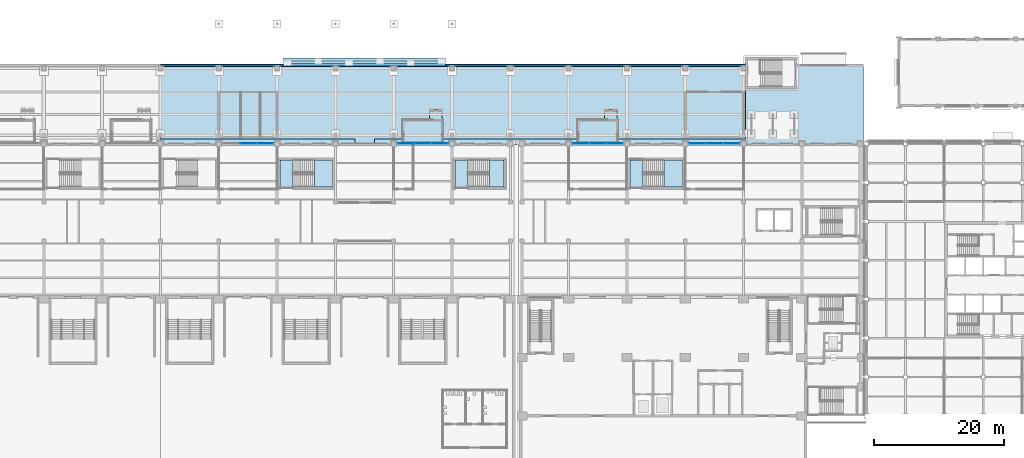
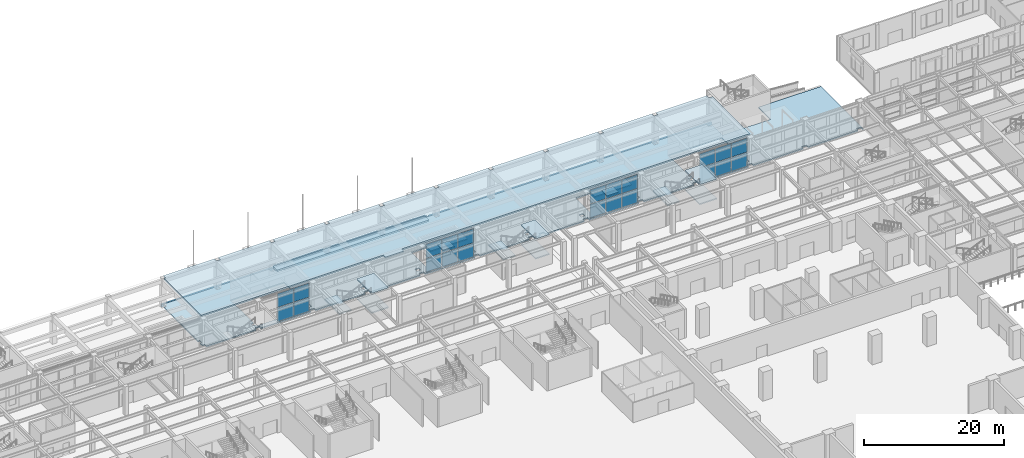
# One storey, part 35 of 77: 22 plates, 21 slabs, 7 elements without a shape of their own.
"""IFC4 building model written with IfcOpenShell, lengths in metres."""

from ifc_helpers import new_model, si_unit, direction, frame, origin, origin_2d, place, context, subcontext, project, spatial, polyline, rectangle, outline, extrude, material, layer, layer_set, type_object, element, aggregate, save


model = new_model("IFC4")

# Units and contexts
model_context = context("Model", 3, precision=1e-05, world=origin(), true_north=direction((0.0, 1.0)))
body_context = subcontext(model_context, "Body", "Model", "MODEL_VIEW")
ifc_project = project(units=[si_unit("LENGTHUNIT", "METRE"), si_unit("AREAUNIT", "SQUARE_METRE"), si_unit("VOLUMEUNIT", "CUBIC_METRE"), si_unit("PLANEANGLEUNIT", "RADIAN"), si_unit("MASSUNIT", "GRAM", prefix="KILO")], contexts=[model_context])

# Site, building, storey
site_placement = place(None, origin())
site = spatial("IfcSite", under=ifc_project, at=site_placement, CompositionType="ELEMENT")
building_placement = place(site_placement, origin())
building = spatial("IfcBuilding", under=site, at=building_placement, Name="Aravalli Gate Trade Fair Centre", CompositionType="ELEMENT")
storey_placement = place(building_placement, origin())
storey = spatial("IfcBuildingStorey", under=building, at=storey_placement, Name="L00", CompositionType="ELEMENT", Elevation=0.0)

# Slabs
ifc_material_1 = material(Name="Concrete M40", Category="concrete")
ifc_layer_1 = layer(ifc_material_1, 0.25)
ifc_layer_set_1 = layer_set([ifc_layer_1], Name="Concrete M40")
slab_type_1 = type_object("IfcSlabType", Name="Arcade terrace slab 250", PredefinedType="FLOOR", material=ifc_layer_set_1)
slab_1_placement = place(storey_placement, frame((0.0, 0.0, 4.75)))
element("IfcSlab", 1, at=slab_1_placement, inside=storey, type_object=slab_type_1, Name="Arcade terrace slab, part 2 of 2", PredefinedType="FLOOR", context=body_context, shape_type="SweptSolid", body=[
    extrude(outline(polyline([(51.300048828125, 144.35009765625), (51.02001953125, 144.35009765625), (51.02001953125, 133.699951171875), (81.0, 133.699951171875), (81.0, 133.10009765625), (84.0, 133.10009765625), (84.0, 133.699951171875), (141.300048828125, 133.699951171875), (141.300048828125, 144.35009765625), (140.699951171875, 144.35009765625), (140.699951171875, 144.949951171875), (132.300048828125, 144.949951171875), (132.300048828125, 144.35009765625), (131.699951171875, 144.35009765625), (131.699951171875, 144.949951171875), (123.300048828125, 144.949951171875), (123.300048828125, 144.35009765625), (122.699951171875, 144.35009765625), (122.699951171875, 144.949951171875), (114.300048828125, 144.949951171875), (114.300048828125, 144.35009765625), (113.699951171875, 144.35009765625), (113.699951171875, 144.949951171875), (105.300048828125, 144.949951171875), (105.300048828125, 144.35009765625), (104.699951171875, 144.35009765625), (104.699951171875, 144.949951171875), (96.300048828125, 144.949951171875), (96.300048828125, 144.35009765625), (95.699951171875, 144.35009765625), (95.699951171875, 144.949951171875), (87.300048828125, 144.949951171875), (87.300048828125, 144.35009765625), (86.699951171875, 144.35009765625), (86.699951171875, 144.949951171875), (78.300048828125, 144.949951171875), (78.300048828125, 144.35009765625), (77.699951171875, 144.35009765625), (77.699951171875, 144.949951171875), (69.300048828125, 144.949951171875), (69.300048828125, 144.35009765625), (68.699951171875, 144.35009765625), (68.699951171875, 144.949951171875), (60.300048828125, 144.949951171875), (60.300048828125, 144.35009765625), (59.699951171875, 144.35009765625), (59.699951171875, 144.949951171875), (51.300048828125, 144.949951171875), (51.300048828125, 144.35009765625)])), origin(), (0.0, 0.0, 1.0), 0.25),
])
ifc_material_2 = material(Name="Concrete M30", Category="concrete")
ifc_layer_2 = layer(ifc_material_2, 0.199951171875)
ifc_layer_set_2 = layer_set([ifc_layer_2], Name="Concrete M30")
slab_type_2 = type_object("IfcSlabType", Name="Basement exit apron 200", PredefinedType="USERDEFINED", material=ifc_layer_set_2)
slab_2_placement = place(storey_placement, frame((0.0, 0.0, -0.199951171875)))
element("IfcSlab", 2, at=slab_2_placement, inside=storey, type_object=slab_type_2, Name="Basement stair N3 exit apron", ObjectType="PAVING", PredefinedType="USERDEFINED", context=body_context, shape_type="SweptSolid", body=[
    extrude(outline(polyline([(94.449951171875, 136.679931640625), (92.5, 136.679931640625), (92.5, 138.280029296875), (94.449951171875, 138.280029296875), (94.449951171875, 136.679931640625)])), origin(), (0.0, 0.0, 1.0), 0.199951171875),
])
slab_3_placement = place(storey_placement, frame((0.0, 0.0, -0.199951171875)))
element("IfcSlab", 3, at=slab_3_placement, inside=storey, type_object=slab_type_2, Name="Basement stair N4 exit apron", ObjectType="PAVING", PredefinedType="USERDEFINED", context=body_context, shape_type="SweptSolid", body=[
    extrude(outline(polyline([(121.449951171875, 136.679931640625), (119.5, 136.679931640625), (119.5, 138.280029296875), (121.449951171875, 138.280029296875), (121.449951171875, 136.679931640625)])), origin(), (0.0, 0.0, 1.0), 0.199951171875),
])
ifc_material_3 = material(Name="Concrete M35", Category="concrete")
ifc_layer_3 = layer(ifc_material_3, 0.199951171875)
ifc_layer_set_3 = layer_set([ifc_layer_3], Name="Concrete M35")
slab_type_3 = type_object("IfcSlabType", Name="Basement stair head roof 200", PredefinedType="ROOF", material=ifc_layer_set_3)
slab_4_placement = place(storey_placement, frame((0.0, 0.0, 3.199951171875)))
element("IfcSlab", 4, at=slab_4_placement, inside=storey, type_object=slab_type_3, Name="Basement stair N3 head roof", PredefinedType="ROOF", context=body_context, shape_type="SweptSolid", body=[
    extrude(outline(polyline([(94.550048828125, 133.179931640625), (88.449951171875, 133.179931640625), (88.449951171875, 136.679931640625), (94.550048828125, 136.679931640625), (94.550048828125, 133.179931640625)])), origin(), (0.0, 0.0, 1.0), 0.199951171875),
])
slab_5_placement = place(storey_placement, frame((0.0, 0.0, 3.199951171875)))
element("IfcSlab", 5, at=slab_5_placement, inside=storey, type_object=slab_type_3, Name="Basement stair N4 head roof", PredefinedType="ROOF", context=body_context, shape_type="SweptSolid", body=[
    extrude(outline(polyline([(121.550048828125, 133.179931640625), (115.449951171875, 133.179931640625), (115.449951171875, 136.679931640625), (121.550048828125, 136.679931640625), (121.550048828125, 133.179931640625)])), origin(), (0.0, 0.0, 1.0), 0.199951171875),
])

# Stair, slabs
stair_type = type_object("IfcStairType", Name="Concourse stair, 2000 wide", PredefinedType="HALF_TURN_STAIR", material=ifc_material_2)
stair_1_placement = place(storey_placement, origin())
stair_1 = element("IfcStair", 6, at=stair_1_placement, inside=storey, type_object=stair_type, Name="Stair XC L00", PredefinedType="HALF_TURN_STAIR")
ifc_layer_4 = layer(ifc_material_2, 0.199951171875)
ifc_layer_set_4 = layer_set([ifc_layer_4], Name="Concrete M30")
slab_type_4 = type_object("IfcSlabType", Name="Concourse stair landing 200", PredefinedType="LANDING", material=ifc_layer_set_4)
slab_6_placement = place(storey_placement, frame((0.0, 0.0, 1.466796875)))
slab_6 = element("IfcSlab", 7, at=slab_6_placement, type_object=slab_type_4, Name="STXC-L00 landing 1", PredefinedType="LANDING", context=body_context, shape_type="SweptSolid", body=[
    extrude(outline(polyline([(74.75, 126.300048828125), (77.550048828125, 126.300048828125), (77.550048828125, 130.5), (74.75, 130.5), (74.75, 126.300048828125)])), origin(), (0.0, 0.0, 1.0), 0.199951171875),
])
slab_7_placement = place(storey_placement, frame((0.0, 0.0, 3.13330078125)))
slab_7 = element("IfcSlab", 8, at=slab_7_placement, type_object=slab_type_4, Name="STXC-L00 landing 2", PredefinedType="LANDING", context=body_context, shape_type="SweptSolid", body=[
    extrude(outline(polyline([(69.449951171875, 126.300048828125), (71.449951171875, 126.300048828125), (71.449951171875, 130.5), (69.449951171875, 130.5), (69.449951171875, 126.300048828125)])), origin(), (0.0, 0.0, 1.0), 0.199951171875),
])
slab_8_placement = place(storey_placement, frame((0.0, 0.0, 4.800048828125)))
slab_8 = element("IfcSlab", 9, at=slab_8_placement, type_object=slab_type_4, Name="STXC-L00 landing 3", PredefinedType="LANDING", context=body_context, shape_type="SweptSolid", body=[
    extrude(outline(polyline([(74.75, 126.300048828125), (77.550048828125, 126.300048828125), (77.550048828125, 130.5), (74.75, 130.5), (74.75, 126.300048828125)])), origin(), (0.0, 0.0, 1.0), 0.199951171875),
])
aggregate(stair_1, [slab_6, slab_7, slab_8])

stair_2_placement = place(storey_placement, origin())
stair_2 = element("IfcStair", 10, at=stair_2_placement, inside=storey, type_object=stair_type, Name="Stair XD L00", PredefinedType="HALF_TURN_STAIR")
slab_9_placement = place(storey_placement, frame((0.0, 0.0, 1.466796875)))
slab_9 = element("IfcSlab", 11, at=slab_9_placement, type_object=slab_type_4, Name="STXD-L00 landing 1", PredefinedType="LANDING", context=body_context, shape_type="SweptSolid", body=[
    extrude(outline(polyline([(101.75, 126.300048828125), (104.050048828125, 126.300048828125), (104.050048828125, 130.5), (101.75, 130.5), (101.75, 126.300048828125)])), origin(), (0.0, 0.0, 1.0), 0.199951171875),
])
slab_10_placement = place(storey_placement, frame((0.0, 0.0, 3.13330078125)))
slab_10 = element("IfcSlab", 12, at=slab_10_placement, type_object=slab_type_4, Name="STXD-L00 landing 2", PredefinedType="LANDING", context=body_context, shape_type="SweptSolid", body=[
    extrude(outline(polyline([(96.449951171875, 126.300048828125), (98.449951171875, 126.300048828125), (98.449951171875, 130.5), (96.449951171875, 130.5), (96.449951171875, 126.300048828125)])), origin(), (0.0, 0.0, 1.0), 0.199951171875),
])
slab_11_placement = place(storey_placement, frame((0.0, 0.0, 4.800048828125)))
slab_11 = element("IfcSlab", 13, at=slab_11_placement, type_object=slab_type_4, Name="STXD-L00 landing 3", PredefinedType="LANDING", context=body_context, shape_type="SweptSolid", body=[
    extrude(outline(polyline([(101.75, 126.300048828125), (104.050048828125, 126.300048828125), (104.050048828125, 130.5), (101.75, 130.5), (101.75, 126.300048828125)])), origin(), (0.0, 0.0, 1.0), 0.199951171875),
])
aggregate(stair_2, [slab_9, slab_10, slab_11])

stair_3_placement = place(storey_placement, origin())
stair_3 = element("IfcStair", 14, at=stair_3_placement, inside=storey, type_object=stair_type, Name="Stair XE L00", PredefinedType="HALF_TURN_STAIR")
slab_12_placement = place(storey_placement, frame((0.0, 0.0, 1.466796875)))
slab_12 = element("IfcSlab", 15, at=slab_12_placement, type_object=slab_type_4, Name="STXE-L00 landing 1", PredefinedType="LANDING", context=body_context, shape_type="SweptSolid", body=[
    extrude(outline(polyline([(128.75, 126.300048828125), (131.550048828125, 126.300048828125), (131.550048828125, 130.5), (128.75, 130.5), (128.75, 126.300048828125)])), origin(), (0.0, 0.0, 1.0), 0.199951171875),
])
slab_13_placement = place(storey_placement, frame((0.0, 0.0, 3.13330078125)))
slab_13 = element("IfcSlab", 16, at=slab_13_placement, type_object=slab_type_4, Name="STXE-L00 landing 2", PredefinedType="LANDING", context=body_context, shape_type="SweptSolid", body=[
    extrude(outline(polyline([(123.449951171875, 126.300048828125), (125.449951171875, 126.300048828125), (125.449951171875, 130.5), (123.449951171875, 130.5), (123.449951171875, 126.300048828125)])), origin(), (0.0, 0.0, 1.0), 0.199951171875),
])
slab_14_placement = place(storey_placement, frame((0.0, 0.0, 4.800048828125)))
slab_14 = element("IfcSlab", 17, at=slab_14_placement, type_object=slab_type_4, Name="STXE-L00 landing 3", PredefinedType="LANDING", context=body_context, shape_type="SweptSolid", body=[
    extrude(outline(polyline([(128.75, 126.300048828125), (131.550048828125, 126.300048828125), (131.550048828125, 130.5), (128.75, 130.5), (128.75, 126.300048828125)])), origin(), (0.0, 0.0, 1.0), 0.199951171875),
])
aggregate(stair_3, [slab_12, slab_13, slab_14])

# Curtain wall, plates
ifc_material_4 = material(Name="Aluminium and glass", Category="aluminium")
curtain_wall_type = type_object("IfcCurtainWallType", Name="Curtain wall 3000 module, tall", PredefinedType="NOTDEFINED", material=ifc_material_4)
curtain_wall_1_placement = place(storey_placement, origin())
curtain_wall_1 = element("IfcCurtainWall", 18, at=curtain_wall_1_placement, inside=storey, type_object=curtain_wall_type, Name="Curtain wall north bay 7 L00", PredefinedType="NOTDEFINED")
ifc_material_5 = material(Name="Glass, double glazed", Category="glass")
ifc_layer_5 = layer(ifc_material_5, 0.028076171875)
ifc_layer_set_5 = layer_set([ifc_layer_5], Name="Glass, double glazed")
plate_type = type_object("IfcPlateType", Name="Curtain wall panel, double glazed 28", PredefinedType="CURTAIN_PANEL", material=ifc_layer_set_5)
plate_1_placement = place(storey_placement, frame((64.5, 133.044921875, 0.06005859375), z_axis=(0.0, 0.0, 1.0), x_axis=(1.0, 0.0, 0.0)))
plate_1 = element("IfcPlate", 19, at=plate_1_placement, type_object=plate_type, Name="CW3 panel 2.1", PredefinedType="CURTAIN_PANEL", context=body_context, shape_type="SweptSolid", body=[
    extrude(rectangle(XDim=2.5732421875, YDim=0.028076171875, at=origin_2d()), origin(), (0.0, 0.0, 1.0), 2.409912109375),
])
plate_2_placement = place(storey_placement, frame((64.5, 133.044921875, 2.5302734375), z_axis=(0.0, 0.0, 1.0), x_axis=(1.0, 0.0, 0.0)))
plate_2 = element("IfcPlate", 20, at=plate_2_placement, type_object=plate_type, Name="CW3 panel 2.2", PredefinedType="CURTAIN_PANEL", context=body_context, shape_type="SweptSolid", body=[
    extrude(rectangle(XDim=2.5732421875, YDim=0.028076171875, at=origin_2d()), origin(), (0.0, 0.0, 1.0), 2.409912109375),
])
plate_3_placement = place(storey_placement, frame((67.118408203125, 133.044921875, 0.06005859375), z_axis=(0.0, 0.0, 1.0), x_axis=(1.0, 0.0, 0.0)))
plate_3 = element("IfcPlate", 21, at=plate_3_placement, type_object=plate_type, Name="CW3 panel 3.1", PredefinedType="CURTAIN_PANEL", context=body_context, shape_type="SweptSolid", body=[
    extrude(rectangle(XDim=2.543212890625, YDim=0.028076171875, at=origin_2d()), origin(), (0.0, 0.0, 1.0), 2.409912109375),
])
plate_4_placement = place(storey_placement, frame((67.118408203125, 133.044921875, 2.5302734375), z_axis=(0.0, 0.0, 1.0), x_axis=(1.0, 0.0, 0.0)))
plate_4 = element("IfcPlate", 22, at=plate_4_placement, type_object=plate_type, Name="CW3 panel 3.2", PredefinedType="CURTAIN_PANEL", context=body_context, shape_type="SweptSolid", body=[
    extrude(rectangle(XDim=2.543212890625, YDim=0.028076171875, at=origin_2d()), origin(), (0.0, 0.0, 1.0), 2.409912109375),
])
aggregate(curtain_wall_1, [plate_1, plate_2, plate_3, plate_4])

curtain_wall_2_placement = place(storey_placement, origin())
curtain_wall_2 = element("IfcCurtainWall", 23, at=curtain_wall_2_placement, inside=storey, type_object=curtain_wall_type, Name="Curtain wall north bay 10 L00", PredefinedType="NOTDEFINED")
plate_5_placement = place(storey_placement, frame((88.881591796875, 133.044921875, 0.06005859375), z_axis=(0.0, 0.0, 1.0), x_axis=(1.0, 0.0, 0.0)))
plate_5 = element("IfcPlate", 24, at=plate_5_placement, type_object=plate_type, Name="CW3 panel 1.1", PredefinedType="CURTAIN_PANEL", context=body_context, shape_type="SweptSolid", body=[
    extrude(rectangle(XDim=2.543212890625, YDim=0.028076171875, at=origin_2d()), origin(), (0.0, 0.0, 1.0), 2.409912109375),
])
plate_6_placement = place(storey_placement, frame((88.881591796875, 133.044921875, 2.5302734375), z_axis=(0.0, 0.0, 1.0), x_axis=(1.0, 0.0, 0.0)))
plate_6 = element("IfcPlate", 25, at=plate_6_placement, type_object=plate_type, Name="CW3 panel 1.2", PredefinedType="CURTAIN_PANEL", context=body_context, shape_type="SweptSolid", body=[
    extrude(rectangle(XDim=2.543212890625, YDim=0.028076171875, at=origin_2d()), origin(), (0.0, 0.0, 1.0), 2.409912109375),
])
plate_7_placement = place(storey_placement, frame((91.5, 133.044921875, 0.06005859375), z_axis=(0.0, 0.0, 1.0), x_axis=(1.0, 0.0, 0.0)))
plate_7 = element("IfcPlate", 26, at=plate_7_placement, type_object=plate_type, Name="CW3 panel 2.1", PredefinedType="CURTAIN_PANEL", context=body_context, shape_type="SweptSolid", body=[
    extrude(rectangle(XDim=2.5732421875, YDim=0.028076171875, at=origin_2d()), origin(), (0.0, 0.0, 1.0), 2.409912109375),
])
plate_8_placement = place(storey_placement, frame((91.5, 133.044921875, 2.5302734375), z_axis=(0.0, 0.0, 1.0), x_axis=(1.0, 0.0, 0.0)))
plate_8 = element("IfcPlate", 27, at=plate_8_placement, type_object=plate_type, Name="CW3 panel 2.2", PredefinedType="CURTAIN_PANEL", context=body_context, shape_type="SweptSolid", body=[
    extrude(rectangle(XDim=2.5732421875, YDim=0.028076171875, at=origin_2d()), origin(), (0.0, 0.0, 1.0), 2.409912109375),
])
plate_9_placement = place(storey_placement, frame((94.118408203125, 133.044921875, 0.06005859375), z_axis=(0.0, 0.0, 1.0), x_axis=(1.0, 0.0, 0.0)))
plate_9 = element("IfcPlate", 28, at=plate_9_placement, type_object=plate_type, Name="CW3 panel 3.1", PredefinedType="CURTAIN_PANEL", context=body_context, shape_type="SweptSolid", body=[
    extrude(rectangle(XDim=2.543212890625, YDim=0.028076171875, at=origin_2d()), origin(), (0.0, 0.0, 1.0), 2.409912109375),
])
plate_10_placement = place(storey_placement, frame((94.118408203125, 133.044921875, 2.5302734375), z_axis=(0.0, 0.0, 1.0), x_axis=(1.0, 0.0, 0.0)))
plate_10 = element("IfcPlate", 29, at=plate_10_placement, type_object=plate_type, Name="CW3 panel 3.2", PredefinedType="CURTAIN_PANEL", context=body_context, shape_type="SweptSolid", body=[
    extrude(rectangle(XDim=2.543212890625, YDim=0.028076171875, at=origin_2d()), origin(), (0.0, 0.0, 1.0), 2.409912109375),
])
aggregate(curtain_wall_2, [plate_5, plate_6, plate_7, plate_8, plate_9, plate_10])

curtain_wall_3_placement = place(storey_placement, origin())
curtain_wall_3 = element("IfcCurtainWall", 30, at=curtain_wall_3_placement, inside=storey, type_object=curtain_wall_type, Name="Curtain wall north bay 14 L00", PredefinedType="NOTDEFINED")
plate_11_placement = place(storey_placement, frame((115.881591796875, 133.044921875, 0.06005859375), z_axis=(0.0, 0.0, 1.0), x_axis=(1.0, 0.0, 0.0)))
plate_11 = element("IfcPlate", 31, at=plate_11_placement, type_object=plate_type, Name="CW3 panel 1.1", PredefinedType="CURTAIN_PANEL", context=body_context, shape_type="SweptSolid", body=[
    extrude(rectangle(XDim=2.543212890625, YDim=0.028076171875, at=origin_2d()), origin(), (0.0, 0.0, 1.0), 2.409912109375),
])
plate_12_placement = place(storey_placement, frame((115.881591796875, 133.044921875, 2.5302734375), z_axis=(0.0, 0.0, 1.0), x_axis=(1.0, 0.0, 0.0)))
plate_12 = element("IfcPlate", 32, at=plate_12_placement, type_object=plate_type, Name="CW3 panel 1.2", PredefinedType="CURTAIN_PANEL", context=body_context, shape_type="SweptSolid", body=[
    extrude(rectangle(XDim=2.543212890625, YDim=0.028076171875, at=origin_2d()), origin(), (0.0, 0.0, 1.0), 2.409912109375),
])
plate_13_placement = place(storey_placement, frame((118.5, 133.044921875, 0.06005859375), z_axis=(0.0, 0.0, 1.0), x_axis=(1.0, 0.0, 0.0)))
plate_13 = element("IfcPlate", 33, at=plate_13_placement, type_object=plate_type, Name="CW3 panel 2.1", PredefinedType="CURTAIN_PANEL", context=body_context, shape_type="SweptSolid", body=[
    extrude(rectangle(XDim=2.5732421875, YDim=0.028076171875, at=origin_2d()), origin(), (0.0, 0.0, 1.0), 2.409912109375),
])
plate_14_placement = place(storey_placement, frame((118.5, 133.044921875, 2.5302734375), z_axis=(0.0, 0.0, 1.0), x_axis=(1.0, 0.0, 0.0)))
plate_14 = element("IfcPlate", 34, at=plate_14_placement, type_object=plate_type, Name="CW3 panel 2.2", PredefinedType="CURTAIN_PANEL", context=body_context, shape_type="SweptSolid", body=[
    extrude(rectangle(XDim=2.5732421875, YDim=0.028076171875, at=origin_2d()), origin(), (0.0, 0.0, 1.0), 2.409912109375),
])
plate_15_placement = place(storey_placement, frame((121.118408203125, 133.044921875, 0.06005859375), z_axis=(0.0, 0.0, 1.0), x_axis=(1.0, 0.0, 0.0)))
plate_15 = element("IfcPlate", 35, at=plate_15_placement, type_object=plate_type, Name="CW3 panel 3.1", PredefinedType="CURTAIN_PANEL", context=body_context, shape_type="SweptSolid", body=[
    extrude(rectangle(XDim=2.543212890625, YDim=0.028076171875, at=origin_2d()), origin(), (0.0, 0.0, 1.0), 2.409912109375),
])
plate_16_placement = place(storey_placement, frame((121.118408203125, 133.044921875, 2.5302734375), z_axis=(0.0, 0.0, 1.0), x_axis=(1.0, 0.0, 0.0)))
plate_16 = element("IfcPlate", 36, at=plate_16_placement, type_object=plate_type, Name="CW3 panel 3.2", PredefinedType="CURTAIN_PANEL", context=body_context, shape_type="SweptSolid", body=[
    extrude(rectangle(XDim=2.543212890625, YDim=0.028076171875, at=origin_2d()), origin(), (0.0, 0.0, 1.0), 2.409912109375),
])
aggregate(curtain_wall_3, [plate_11, plate_12, plate_13, plate_14, plate_15, plate_16])

curtain_wall_4_placement = place(storey_placement, origin())
curtain_wall_4 = element("IfcCurtainWall", 37, at=curtain_wall_4_placement, inside=storey, type_object=curtain_wall_type, Name="Curtain wall north bay 16 L00", PredefinedType="NOTDEFINED")
plate_17_placement = place(storey_placement, frame((133.881591796875, 133.044921875, 0.06005859375), z_axis=(0.0, 0.0, 1.0), x_axis=(1.0, 0.0, 0.0)))
plate_17 = element("IfcPlate", 38, at=plate_17_placement, type_object=plate_type, Name="CW3 panel 1.1", PredefinedType="CURTAIN_PANEL", context=body_context, shape_type="SweptSolid", body=[
    extrude(rectangle(XDim=2.543212890625, YDim=0.028076171875, at=origin_2d()), origin(), (0.0, 0.0, 1.0), 2.409912109375),
])
plate_18_placement = place(storey_placement, frame((133.881591796875, 133.044921875, 2.5302734375), z_axis=(0.0, 0.0, 1.0), x_axis=(1.0, 0.0, 0.0)))
plate_18 = element("IfcPlate", 39, at=plate_18_placement, type_object=plate_type, Name="CW3 panel 1.2", PredefinedType="CURTAIN_PANEL", context=body_context, shape_type="SweptSolid", body=[
    extrude(rectangle(XDim=2.543212890625, YDim=0.028076171875, at=origin_2d()), origin(), (0.0, 0.0, 1.0), 2.409912109375),
])
plate_19_placement = place(storey_placement, frame((136.5, 133.044921875, 0.06005859375), z_axis=(0.0, 0.0, 1.0), x_axis=(1.0, 0.0, 0.0)))
plate_19 = element("IfcPlate", 40, at=plate_19_placement, type_object=plate_type, Name="CW3 panel 2.1", PredefinedType="CURTAIN_PANEL", context=body_context, shape_type="SweptSolid", body=[
    extrude(rectangle(XDim=2.5732421875, YDim=0.028076171875, at=origin_2d()), origin(), (0.0, 0.0, 1.0), 2.409912109375),
])
plate_20_placement = place(storey_placement, frame((136.5, 133.044921875, 2.5302734375), z_axis=(0.0, 0.0, 1.0), x_axis=(1.0, 0.0, 0.0)))
plate_20 = element("IfcPlate", 41, at=plate_20_placement, type_object=plate_type, Name="CW3 panel 2.2", PredefinedType="CURTAIN_PANEL", context=body_context, shape_type="SweptSolid", body=[
    extrude(rectangle(XDim=2.5732421875, YDim=0.028076171875, at=origin_2d()), origin(), (0.0, 0.0, 1.0), 2.409912109375),
])
plate_21_placement = place(storey_placement, frame((139.118408203125, 133.044921875, 0.06005859375), z_axis=(0.0, 0.0, 1.0), x_axis=(1.0, 0.0, 0.0)))
plate_21 = element("IfcPlate", 42, at=plate_21_placement, type_object=plate_type, Name="CW3 panel 3.1", PredefinedType="CURTAIN_PANEL", context=body_context, shape_type="SweptSolid", body=[
    extrude(rectangle(XDim=2.543212890625, YDim=0.028076171875, at=origin_2d()), origin(), (0.0, 0.0, 1.0), 2.409912109375),
])
plate_22_placement = place(storey_placement, frame((139.118408203125, 133.044921875, 2.5302734375), z_axis=(0.0, 0.0, 1.0), x_axis=(1.0, 0.0, 0.0)))
plate_22 = element("IfcPlate", 43, at=plate_22_placement, type_object=plate_type, Name="CW3 panel 3.2", PredefinedType="CURTAIN_PANEL", context=body_context, shape_type="SweptSolid", body=[
    extrude(rectangle(XDim=2.543212890625, YDim=0.028076171875, at=origin_2d()), origin(), (0.0, 0.0, 1.0), 2.409912109375),
])
aggregate(curtain_wall_4, [plate_17, plate_18, plate_19, plate_20, plate_21, plate_22])

# Slabs
ifc_layer_6 = layer(ifc_material_2, 0.39990234375, Name="Structural slab")
ifc_material_6 = material(Name="Dholpur sandstone paving", Category="masonry")
ifc_layer_7 = layer(ifc_material_6, 0.050048828125, Name="Stone paving")
ifc_layer_set_6 = layer_set([ifc_layer_6, ifc_layer_7], Name="Plaza kerb 300")
slab_type_5 = type_object("IfcSlabType", Name="Plaza kerb 300", PredefinedType="USERDEFINED", material=ifc_layer_set_6)
slab_15_placement = place(storey_placement, frame((0.0, 0.0, -0.449951171875)))
element("IfcSlab", 44, at=slab_15_placement, inside=storey, type_object=slab_type_5, Name="Plaza kerb, part 2 of 2", ObjectType="PAVING", PredefinedType="USERDEFINED", context=body_context, shape_type="SweptSolid", body=[
    extrude(outline(polyline([(70.0, 145.300048828125), (51.02001953125, 145.300048828125), (51.02001953125, 145.0), (70.0, 145.0), (70.0, 145.300048828125)])), origin(), (0.0, 0.0, 1.0), 0.449951171875),
])
slab_16_placement = place(storey_placement, frame((0.0, 0.0, -0.449951171875)))
element("IfcSlab", 45, at=slab_16_placement, inside=storey, type_object=slab_type_5, Name="Plaza kerb", ObjectType="PAVING", PredefinedType="USERDEFINED", context=body_context, shape_type="SweptSolid", body=[
    extrude(outline(polyline([(141.60009765625, 145.300048828125), (95.0, 145.300048828125), (95.0, 145.0), (141.60009765625, 145.0), (141.60009765625, 145.300048828125)])), origin(), (0.0, 0.0, 1.0), 0.449951171875),
])
ifc_layer_8 = layer(ifc_material_2, 0.14990234375, Name="Structural slab")
ifc_layer_9 = layer(ifc_material_6, 0.050048828125, Name="Stone paving")
ifc_layer_set_7 = layer_set([ifc_layer_8, ifc_layer_9], Name="Plaza paving 200")
slab_type_6 = type_object("IfcSlabType", Name="Plaza paving 200", PredefinedType="USERDEFINED", material=ifc_layer_set_7)
slab_17_placement = place(storey_placement, frame((0.0, 0.0, -0.199951171875)))
element("IfcSlab", 46, at=slab_17_placement, inside=storey, type_object=slab_type_6, Name="Plaza paving, part 2 of 2", ObjectType="PAVING", PredefinedType="USERDEFINED", context=body_context, shape_type="SweptSolid", body=[
    extrude(outline(polyline([(159.39990234375, 132.919921875), (159.5, 132.919921875), (159.5, 145.0), (149.199951171875, 145.0), (149.199951171875, 141.5), (141.300048828125, 141.5), (141.300048828125, 144.300048828125), (140.64990234375, 144.300048828125), (140.64990234375, 145.0), (132.35009765625, 145.0), (132.35009765625, 144.300048828125), (131.64990234375, 144.300048828125), (131.64990234375, 145.0), (123.35009765625, 145.0), (123.35009765625, 144.300048828125), (122.64990234375, 144.300048828125), (122.64990234375, 145.0), (114.35009765625, 145.0), (114.35009765625, 144.300048828125), (113.64990234375, 144.300048828125), (113.64990234375, 145.0), (105.35009765625, 145.0), (105.35009765625, 144.300048828125), (104.64990234375, 144.300048828125), (104.64990234375, 145.0), (96.35009765625, 145.0), (96.35009765625, 144.300048828125), (95.64990234375, 144.300048828125), (95.64990234375, 145.0), (87.35009765625, 145.0), (87.35009765625, 144.300048828125), (86.64990234375, 144.300048828125), (86.64990234375, 145.0), (78.35009765625, 145.0), (78.35009765625, 144.300048828125), (77.64990234375, 144.300048828125), (77.64990234375, 145.0), (69.35009765625, 145.0), (69.35009765625, 144.300048828125), (68.64990234375, 144.300048828125), (68.64990234375, 145.0), (60.35009765625, 145.0), (60.35009765625, 144.300048828125), (59.64990234375, 144.300048828125), (59.64990234375, 145.0), (51.35009765625, 145.0), (51.35009765625, 144.300048828125), (51.02001953125, 144.300048828125), (51.02001953125, 134.60009765625), (51.300048828125, 134.60009765625), (51.300048828125, 134.0), (51.02001953125, 134.0), (51.02001953125, 133.39990234375), (51.39990234375, 133.39990234375), (51.39990234375, 132.919921875), (59.60009765625, 132.919921875), (59.60009765625, 133.39990234375), (60.39990234375, 133.39990234375), (60.39990234375, 132.919921875), (68.60009765625, 132.919921875), (68.60009765625, 133.39990234375), (69.39990234375, 133.39990234375), (69.39990234375, 132.919921875), (77.60009765625, 132.919921875), (77.60009765625, 133.39990234375), (78.39990234375, 133.39990234375), (78.39990234375, 132.919921875), (86.60009765625, 132.919921875), (86.60009765625, 133.39990234375), (87.39990234375, 133.39990234375), (87.39990234375, 132.919921875), (95.60009765625, 132.919921875), (95.60009765625, 133.39990234375), (96.39990234375, 133.39990234375), (96.39990234375, 132.919921875), (104.60009765625, 132.919921875), (104.60009765625, 133.39990234375), (105.39990234375, 133.39990234375), (105.39990234375, 132.919921875), (106.39990234375, 132.919921875), (106.39990234375, 133.39990234375), (107.199951171875, 133.39990234375), (107.199951171875, 132.919921875), (113.60009765625, 132.919921875), (113.60009765625, 133.39990234375), (114.39990234375, 133.39990234375), (114.39990234375, 132.919921875), (122.60009765625, 132.919921875), (122.60009765625, 133.39990234375), (123.39990234375, 133.39990234375), (123.39990234375, 132.919921875), (131.60009765625, 132.919921875), (131.60009765625, 133.39990234375), (132.39990234375, 133.39990234375), (132.39990234375, 132.919921875), (140.60009765625, 132.919921875), (140.60009765625, 133.39990234375), (141.39990234375, 133.39990234375), (141.39990234375, 132.919921875), (149.60009765625, 132.919921875), (149.60009765625, 133.39990234375), (150.39990234375, 133.39990234375), (150.39990234375, 132.919921875), (158.60009765625, 132.919921875), (158.60009765625, 133.39990234375), (159.39990234375, 133.39990234375), (159.39990234375, 132.919921875)]), holes=[polyline([(60.10009765625, 133.699951171875), (60.10009765625, 134.0), (59.699951171875, 134.0), (59.699951171875, 134.60009765625), (60.10009765625, 134.60009765625), (60.10009765625, 141.10009765625), (68.89990234375, 141.10009765625), (68.89990234375, 134.60009765625), (69.300048828125, 134.60009765625), (69.300048828125, 134.0), (68.89990234375, 134.0), (68.89990234375, 133.699951171875), (60.10009765625, 133.699951171875)]), polyline([(78.300048828125, 134.60009765625), (78.300048828125, 134.0), (77.699951171875, 134.0), (77.699951171875, 134.60009765625), (78.300048828125, 134.60009765625)]), polyline([(86.699951171875, 134.60009765625), (87.300048828125, 134.60009765625), (87.300048828125, 134.0), (86.699951171875, 134.0), (86.699951171875, 134.60009765625)]), polyline([(96.300048828125, 134.60009765625), (96.300048828125, 134.0), (95.699951171875, 134.0), (95.699951171875, 134.60009765625), (96.300048828125, 134.60009765625)]), polyline([(105.300048828125, 134.60009765625), (105.300048828125, 134.0), (104.699951171875, 134.0), (104.699951171875, 134.60009765625), (105.300048828125, 134.60009765625)]), polyline([(94.64990234375, 133.0), (88.35009765625, 133.0), (88.35009765625, 138.10009765625), (88.35009765625, 138.47998046875), (94.64990234375, 138.47998046875), (94.64990234375, 138.10009765625), (94.64990234375, 133.0)]), polyline([(132.10009765625, 134.0), (131.699951171875, 134.0), (131.699951171875, 134.60009765625), (132.10009765625, 134.60009765625), (132.10009765625, 141.10009765625), (140.89990234375, 141.10009765625), (140.89990234375, 134.60009765625), (141.300048828125, 134.60009765625), (141.300048828125, 134.0), (140.89990234375, 134.0), (140.89990234375, 133.699951171875), (132.10009765625, 133.699951171875), (132.10009765625, 134.0)]), polyline([(114.300048828125, 134.60009765625), (114.300048828125, 134.0), (113.699951171875, 134.0), (113.699951171875, 134.60009765625), (114.300048828125, 134.60009765625)]), polyline([(123.300048828125, 134.60009765625), (123.300048828125, 134.0), (122.699951171875, 134.0), (122.699951171875, 134.60009765625), (123.300048828125, 134.60009765625)]), polyline([(121.64990234375, 138.10009765625), (121.64990234375, 133.0), (115.35009765625, 133.0), (115.35009765625, 138.10009765625), (115.35009765625, 138.47998046875), (121.64990234375, 138.47998046875), (121.64990234375, 138.10009765625)])]), origin(), (0.0, 0.0, 1.0), 0.199951171875),
])
ifc_layer_10 = layer(ifc_material_2, 0.449951171875, Name="Structural slab")
ifc_layer_11 = layer(ifc_material_6, 0.050048828125, Name="Stone paving")
ifc_layer_set_8 = layer_set([ifc_layer_10, ifc_layer_11], Name="Plaza step 1")
slab_type_7 = type_object("IfcSlabType", Name="Plaza step 1", PredefinedType="USERDEFINED", material=ifc_layer_set_8)
slab_18_placement = place(storey_placement, frame((0.0, 0.0, -0.64990234375)))
element("IfcSlab", 47, at=slab_18_placement, inside=storey, type_object=slab_type_7, Name="Plaza step 1", ObjectType="PAVING", PredefinedType="USERDEFINED", context=body_context, shape_type="SweptSolid", body=[
    extrude(outline(polyline([(95.0, 145.0), (95.0, 145.39990234375), (70.0, 145.39990234375), (70.0, 145.0), (95.0, 145.0)])), origin(), (0.0, 0.0, 1.0), 0.5),
])
ifc_layer_12 = layer(ifc_material_2, 0.300048828125, Name="Structural slab")
ifc_layer_13 = layer(ifc_material_6, 0.050048828125, Name="Stone paving")
ifc_layer_set_9 = layer_set([ifc_layer_12, ifc_layer_13], Name="Plaza step 2")
slab_type_8 = type_object("IfcSlabType", Name="Plaza step 2", PredefinedType="USERDEFINED", material=ifc_layer_set_9)
slab_19_placement = place(storey_placement, frame((0.0, 0.0, -0.64990234375)))
element("IfcSlab", 48, at=slab_19_placement, inside=storey, type_object=slab_type_8, Name="Plaza step 2", ObjectType="PAVING", PredefinedType="USERDEFINED", context=body_context, shape_type="SweptSolid", body=[
    extrude(outline(polyline([(95.0, 145.39990234375), (95.0, 145.800048828125), (70.0, 145.800048828125), (70.0, 145.39990234375), (95.0, 145.39990234375)])), origin(), (0.0, 0.0, 1.0), 0.349853515625),
])
ifc_layer_14 = layer(ifc_material_2, 0.14990234375, Name="Structural slab")
ifc_layer_15 = layer(ifc_material_6, 0.050048828125, Name="Stone paving")
ifc_layer_set_10 = layer_set([ifc_layer_14, ifc_layer_15], Name="Plaza step 3")
slab_type_9 = type_object("IfcSlabType", Name="Plaza step 3", PredefinedType="USERDEFINED", material=ifc_layer_set_10)
slab_20_placement = place(storey_placement, frame((0.0, 0.0, -0.64990234375)))
element("IfcSlab", 49, at=slab_20_placement, inside=storey, type_object=slab_type_9, Name="Plaza step 3", ObjectType="PAVING", PredefinedType="USERDEFINED", context=body_context, shape_type="SweptSolid", body=[
    extrude(outline(polyline([(95.0, 145.800048828125), (95.0, 146.199951171875), (70.0, 146.199951171875), (70.0, 145.800048828125), (95.0, 145.800048828125)])), origin(), (0.0, 0.0, 1.0), 0.199951171875),
])
ifc_layer_16 = layer(ifc_material_2, 0.300048828125)
ifc_layer_set_11 = layer_set([ifc_layer_16], Name="Concrete M30")
slab_type_10 = type_object("IfcSlabType", Name="Plaza step base slab 300", PredefinedType="FLOOR", material=ifc_layer_set_11)
slab_21_placement = place(storey_placement, frame((0.0, 0.0, -0.949951171875)))
element("IfcSlab", 50, at=slab_21_placement, inside=storey, type_object=slab_type_10, Name="Plaza step base slab", PredefinedType="FLOOR", context=body_context, shape_type="SweptSolid", body=[
    extrude(outline(polyline([(70.0, 145.0), (95.0, 145.0), (95.0, 146.199951171875), (70.0, 146.199951171875), (70.0, 145.0)])), origin(), (0.0, 0.0, 1.0), 0.300048828125),
])

save(model, "model.ifc")
